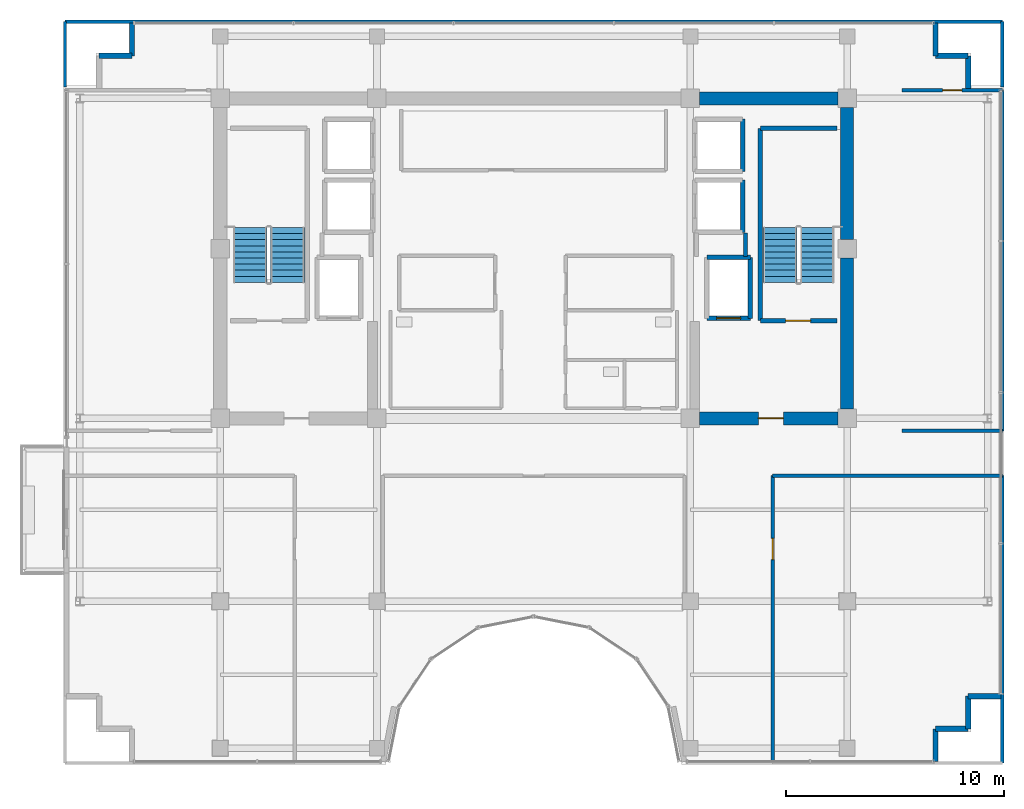
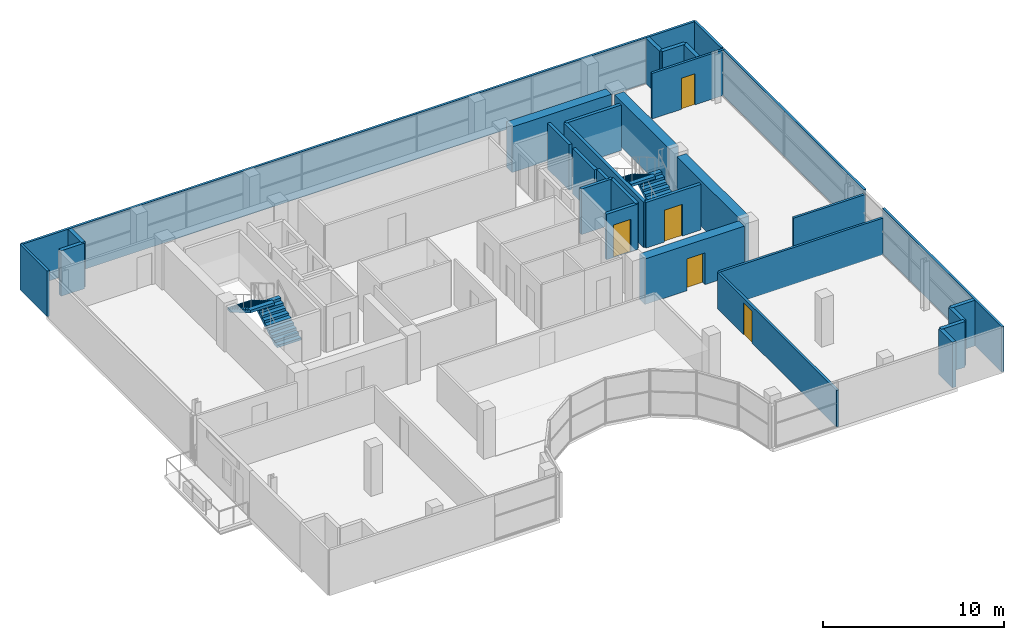
# One storey, part 24 of 28: 31 walls, 5 doors, 4 stair flights, 5 openings, 2 elements without a shape of their own.
"""IFC4 building model written with IfcOpenShell, lengths in metres."""

from ifc_helpers import new_model, si_unit, direction, frame, frame_2d, origin, place, context, subcontext, project, spatial, polyline, rectangle, outline, extrude, source, transform, mapped, material, layer, layer_set, type_object, element, fill, aggregate, save


model = new_model("IFC4")

# Units and contexts
model_context = context("Model", 3, precision=1e-05, world=origin(), true_north=direction((0.0, 1.0)))
body_context = subcontext(model_context, "Body", "Model", "MODEL_VIEW")
ifc_project = project(units=[si_unit("LENGTHUNIT", "METRE"), si_unit("AREAUNIT", "SQUARE_METRE"), si_unit("VOLUMEUNIT", "CUBIC_METRE"), si_unit("PLANEANGLEUNIT", "RADIAN"), si_unit("MASSUNIT", "GRAM", prefix="KILO")], contexts=[model_context])

# Site, building, storey
site_placement = place(None, origin())
site = spatial("IfcSite", under=ifc_project, at=site_placement, CompositionType="ELEMENT")
building_placement = place(site_placement, origin())
building = spatial("IfcBuilding", under=site, at=building_placement, Name="Zarnakvel Exchange Tower", CompositionType="ELEMENT")
storey_placement = place(building_placement, frame((0.0, 0.0, 268.300048828125)))
storey = spatial("IfcBuildingStorey", under=building, at=storey_placement, Name="L76", CompositionType="ELEMENT", Elevation=268.300048828125)

# Walls
ifc_material_1 = material(Name="Concrete C50/60", Category="concrete")
ifc_layer_1 = layer(ifc_material_1, 0.60009765625)
ifc_layer_set_1 = layer_set([ifc_layer_1], Name="Concrete C50/60")
wall_type_1 = type_object("IfcWallType", Name="CW-C5", PredefinedType="SHEAR", material=ifc_layer_set_1)
wall_1_placement = place(storey_placement, frame((7.625, 13.5, 0.0), z_axis=(0.0, 0.0, 1.0), x_axis=(1.0, 0.0, 0.0)))
element("IfcWall", 1, at=wall_1_placement, inside=storey, type_object=wall_type_1, Name="L76 Rear Core Shear Wall N3 (CW-C5)", PredefinedType="SHEAR", context=body_context, shape_type="SweptSolid", body=[
    extrude(rectangle(XDim=6.35009765625, YDim=0.60009765625, at=frame_2d((3.175048828125, 0.0))), origin(), (0.0, 0.0, 1.0), 3.079833984375),
])
wall_2_placement = place(storey_placement, frame((14.39990234375, -0.77490234375, 0.0), z_axis=(0.0, 0.0, 1.0), x_axis=(0.0, 1.0, 0.0)))
element("IfcWall", 2, at=wall_2_placement, inside=storey, type_object=wall_type_1, Name="L76 Rear Core Shear Wall E1 (CW-C5)", PredefinedType="SHEAR", context=body_context, shape_type="SweptSolid", body=[
    extrude(rectangle(XDim=6.949951171875, YDim=0.60009765625, at=frame_2d((3.47509765625, 0.0))), origin(), (0.0, 0.0, 1.0), 3.079833984375),
])
wall_3_placement = place(storey_placement, frame((14.39990234375, 7.02490234375, 0.0), z_axis=(0.0, 0.0, 1.0), x_axis=(0.0, 1.0, 0.0)))
element("IfcWall", 3, at=wall_3_placement, inside=storey, type_object=wall_type_1, Name="L76 Rear Core Shear Wall E2 (CW-C5)", PredefinedType="SHEAR", context=body_context, shape_type="SweptSolid", body=[
    extrude(rectangle(XDim=6.050048828125, YDim=0.60009765625, at=frame_2d((3.02490234375, 0.0))), origin(), (0.0, 0.0, 1.0), 3.079833984375),
])

# Wall, opening, door
wall_4_placement = place(storey_placement, frame((13.97509765625, -1.199951171875, 0.0), z_axis=(0.0, 0.0, 1.0), x_axis=(-1.0, 0.0, 0.0)))
wall_4 = element("IfcWall", 4, at=wall_4_placement, inside=storey, type_object=wall_type_1, Name="L76 Rear Core Shear Wall SE (CW-C5)", PredefinedType="SHEAR", context=body_context, shape_type="SweptSolid", body=[
    extrude(rectangle(XDim=6.35009765625, YDim=0.60009765625, at=frame_2d((3.175048828125, 0.0))), origin(), (0.0, 0.0, 1.0), 3.079833984375),
])
opening_1_placement = place(wall_4_placement, frame((2.5, 0.0, 0.0)))
opening_1 = element("IfcOpeningElement", 5, at=opening_1_placement, cuts=wall_4, Name="Opening D-L76-04", PredefinedType="OPENING", context=body_context, shape_type="SweptSolid", body=[
    extrude(rectangle(XDim=1.14990234375, YDim=2.14990234375, at=frame_2d((0.574951171875, 1.074951171875))), frame((0.0, 0.31005859375, 0.0), z_axis=(0.0, -1.0, 0.0), x_axis=(1.0, 0.0, 0.0)), (0.0, 0.0, 1.0), 0.6201171875),
])
ifc_material_2 = material(Name="Painted Galvanised Steel S355", Category="steel")
door_type_1 = type_object("IfcDoorType", Name="DT-04", OperationType="NOTDEFINED", PredefinedType="DOOR", material=ifc_material_2)
shared_shape_1 = source(origin(), body_context, "Body", "SweptSolid", [
    extrude(rectangle(XDim=1.14990234375, YDim=2.14990234375, at=frame_2d((0.574951171875, 1.074951171875))), frame((0.0, 0.02490234375, 0.0), z_axis=(0.0, -1.0, 0.0), x_axis=(1.0, 0.0, 0.0)), (0.0, 0.0, 1.0), 0.050048828125),
])
door_1_placement = place(opening_1_placement, origin())
door_1 = element("IfcDoor", 6, at=door_1_placement, inside=storey, type_object=door_type_1, Name="L76 Firefighting Lobby East Door D-L76-04", OperationType="SINGLE_SWING_LEFT", OverallHeight=2.14990234375, OverallWidth=1.14990234375, PredefinedType="DOOR", context=body_context, shape_type="MappedRepresentation", body=[
    mapped(shared_shape_1, transform((0.0, 0.0, 0.0), x_axis=(1.0, 0.0, 0.0), y_axis=(0.0, 1.0, 0.0), z_axis=(0.0, 0.0, 1.0), scale=1.0)),
])
fill(opening_1, door_1)

# Walls
ifc_material_3 = material(Name="Precast concrete C40/50", Category="concrete")
ifc_layer_2 = layer(ifc_material_3, 0.239990234375)
ifc_layer_set_2 = layer_set([ifc_layer_2], Name="Precast concrete C40/50")
wall_type_2 = type_object("IfcWallType", Name="EW-02", PredefinedType="SOLIDWALL", material=ifc_layer_set_2)
for number, where, z_axis, x_axis, name in (
    (7, (-18.4599609375, 15.4599609375, 0.0), (0.0, 0.0, 1.0), (-1.0, 0.0, 0.0), "L76 Exterior Precast Spandrel Wall EWC-L76-05 (EW-02)"),
    (8, (-18.4599609375, 16.9599609375, 0.0), (0.0, 0.0, 1.0), (0.0, -1.0, 0.0), "L76 Exterior Precast Spandrel Wall EWC-L76-06 (EW-02)"),
    (9, (18.4599609375, 15.4599609375, 0.0), (0.0, 0.0, 1.0), (0.0, 1.0, 0.0), "L76 Exterior Precast Spandrel Wall EWC-L76-07 (EW-02)"),
    (10, (19.9599609375, 15.4599609375, 0.0), (0.0, 0.0, 1.0), (-1.0, 0.0, 0.0), "L76 Exterior Precast Spandrel Wall EWC-L76-08 (EW-02)"),
    (11, (19.9599609375, 13.9599609375, 0.0), (0.0, 0.0, 1.0), (0.0, 1.0, 0.0), "L76 Exterior Precast Spandrel Wall EWC-L76-09 (EW-02)"),
    (12, (19.9599609375, -13.9599609375, 0.0), (0.0, 0.0, 1.0), (1.0, 0.0, 0.0), "L76 Exterior Precast Spandrel Wall EWC-L76-11 (EW-02)"),
    (13, (19.9599609375, -15.4599609375, 0.0), (0.0, 0.0, 1.0), (0.0, 1.0, 0.0), "L76 Exterior Precast Spandrel Wall EWC-L76-12 (EW-02)"),
    (14, (18.4599609375, -15.4599609375, 0.0), (0.0, 0.0, 1.0), (1.0, 0.0, 0.0), "L76 Exterior Precast Spandrel Wall EWC-L76-13 (EW-02)"),
    (15, (18.4599609375, -16.9599609375, 0.0), (0.0, 0.0, 1.0), (0.0, 1.0, 0.0), "L76 Exterior Precast Spandrel Wall EWC-L76-14 (EW-02)"),
):
    element("IfcWall", number, at=place(storey_placement, frame(where, z_axis=z_axis, x_axis=x_axis)), inside=storey, type_object=wall_type_2, Name=name, PredefinedType="SOLIDWALL", context=body_context, shape_type="SweptSolid", body=[
        extrude(rectangle(XDim=1.5, YDim=0.239990234375, at=frame_2d((0.75, 0.0))), origin(), (0.0, 0.0, 1.0), 3.079833984375),
    ])
ifc_material_4 = material(Name="Fire-Rated Gypsum Stud Partition", Category="gypsum")
ifc_layer_3 = layer(ifc_material_4, 0.14990234375)
ifc_layer_set_3 = layer_set([ifc_layer_3], Name="Fire-Rated Gypsum Stud Partition")
wall_type_3 = type_object("IfcWallType", Name="PT-01", PredefinedType="PARTITIONING", material=ifc_layer_set_3)
wall_5_placement = place(storey_placement, frame((10.97998046875, -3.830078125, 0.0), z_axis=(0.0, 0.0, 1.0), x_axis=(1.0, 0.0, 0.0)))
element("IfcWall", 16, at=wall_5_placement, inside=storey, type_object=wall_type_3, Name="L76 Partition Wall PWALL-L76-038 (PT-01)", PredefinedType="PARTITIONING", context=body_context, shape_type="SweptSolid", body=[
    extrude(rectangle(XDim=10.550048828125, YDim=0.14990234375, at=frame_2d((5.27490234375, 0.0))), origin(), (0.0, 0.0, 1.0), 2.469970703125),
])

# Wall, opening, door
wall_6_placement = place(storey_placement, frame((10.97998046875, -17.030029296875, 0.0), z_axis=(0.0, 0.0, 1.0), x_axis=(0.0, 1.0, 0.0)))
wall_6 = element("IfcWall", 17, at=wall_6_placement, inside=storey, type_object=wall_type_3, Name="L76 Partition Wall PWALL-L76-039 (PT-01)", PredefinedType="PARTITIONING", context=body_context, shape_type="SweptSolid", body=[
    extrude(rectangle(XDim=13.199951171875, YDim=0.14990234375, at=frame_2d((6.60009765625, 0.0))), origin(), (0.0, 0.0, 1.0), 2.469970703125),
])
opening_2_placement = place(wall_6_placement, frame((9.340087890625, 0.0, 0.0)))
opening_2 = element("IfcOpeningElement", 18, at=opening_2_placement, cuts=wall_6, Name="Opening D-L76-13", PredefinedType="OPENING", context=body_context, shape_type="SweptSolid", body=[
    extrude(rectangle(XDim=0.97998046875, YDim=2.14990234375, at=frame_2d((0.489990234375, 1.074951171875))), frame((0.0, 0.0849609375, 0.0), z_axis=(0.0, -1.0, 0.0), x_axis=(1.0, 0.0, 0.0)), (0.0, 0.0, 1.0), 0.169921875),
])
ifc_material_5 = material(Name="Timber Acoustic Veneer", Category="wood")
door_type_2 = type_object("IfcDoorType", Name="DT-05", OperationType="NOTDEFINED", PredefinedType="DOOR", material=ifc_material_5)
shared_shape_2 = source(origin(), body_context, "Body", "SweptSolid", [
    extrude(rectangle(XDim=0.97998046875, YDim=2.14990234375, at=frame_2d((0.489990234375, 1.074951171875))), frame((0.0, 0.02490234375, 0.0), z_axis=(0.0, -1.0, 0.0), x_axis=(1.0, 0.0, 0.0)), (0.0, 0.0, 1.0), 0.050048828125),
])
door_2_placement = place(opening_2_placement, origin())
door_2 = element("IfcDoor", 19, at=door_2_placement, inside=storey, type_object=door_type_2, Name="L76 Seminar Room Door D-L76-13", OperationType="SINGLE_SWING_RIGHT", OverallHeight=2.14990234375, OverallWidth=0.97998046875, PredefinedType="DOOR", context=body_context, shape_type="MappedRepresentation", body=[
    mapped(shared_shape_2, transform((0.0, 0.0, 0.0), x_axis=(1.0, 0.0, 0.0), y_axis=(0.0, 1.0, 0.0), z_axis=(0.0, 0.0, 1.0), scale=1.0)),
])
fill(opening_2, door_2)

# Walls
wall_7_placement = place(storey_placement, frame((21.530029296875, -3.830078125, 0.0), z_axis=(0.0, 0.0, 1.0), x_axis=(0.0, -1.0, 0.0)))
element("IfcWall", 20, at=wall_7_placement, inside=storey, type_object=wall_type_3, Name="L76 Partition Wall PWALL-L76-040 (PT-01)", PredefinedType="PARTITIONING", context=body_context, shape_type="SweptSolid", body=[
    extrude(rectangle(XDim=13.199951171875, YDim=0.14990234375, at=frame_2d((6.60009765625, 0.0))), origin(), (0.0, 0.0, 1.0), 3.079833984375),
])
wall_8_placement = place(storey_placement, frame((21.530029296875, -1.77001953125, 0.0), z_axis=(0.0, 0.0, 1.0), x_axis=(-1.0, 0.0, 0.0)))
element("IfcWall", 21, at=wall_8_placement, inside=storey, type_object=wall_type_3, Name="L76 Partition Wall PWALL-L76-047 (PT-01)", PredefinedType="PARTITIONING", context=body_context, shape_type="SweptSolid", body=[
    extrude(rectangle(XDim=4.60009765625, YDim=0.14990234375, at=frame_2d((2.300048828125, 0.0))), origin(), (0.0, 0.0, 1.0), 2.7900390625),
])

# Wall, opening, door
wall_9_placement = place(storey_placement, frame((16.929931640625, 13.8798828125, 0.0), z_axis=(0.0, 0.0, 1.0), x_axis=(1.0, 0.0, 0.0)))
wall_9 = element("IfcWall", 22, at=wall_9_placement, inside=storey, type_object=wall_type_3, Name="L76 Partition Wall PWALL-L76-048 (PT-01)", PredefinedType="PARTITIONING", context=body_context, shape_type="SweptSolid", body=[
    extrude(rectangle(XDim=4.60009765625, YDim=0.14990234375, at=frame_2d((2.300048828125, 0.0))), origin(), (0.0, 0.0, 1.0), 3.079833984375),
])
opening_3_placement = place(wall_9_placement, frame((1.860107421875, 0.0, 0.0)))
opening_3 = element("IfcOpeningElement", 23, at=opening_3_placement, cuts=wall_9, Name="Opening D-L76-17", PredefinedType="OPENING", context=body_context, shape_type="SweptSolid", body=[
    extrude(rectangle(XDim=0.8798828125, YDim=2.10009765625, at=frame_2d((0.43994140625, 1.050048828125))), frame((0.0, 0.0849609375, 0.0), z_axis=(0.0, -1.0, 0.0), x_axis=(1.0, 0.0, 0.0)), (0.0, 0.0, 1.0), 0.169921875),
])
door_type_3 = type_object("IfcDoorType", Name="DT-08", OperationType="NOTDEFINED", PredefinedType="DOOR", material=ifc_material_2)
shared_shape_3 = source(origin(), body_context, "Body", "SweptSolid", [
    extrude(rectangle(XDim=0.8798828125, YDim=2.10009765625, at=frame_2d((0.43994140625, 1.050048828125))), frame((0.0, 0.02490234375, 0.0), z_axis=(0.0, -1.0, 0.0), x_axis=(1.0, 0.0, 0.0)), (0.0, 0.0, 1.0), 0.050048828125),
])
door_3_placement = place(opening_3_placement, origin())
door_3 = element("IfcDoor", 24, at=door_3_placement, inside=storey, type_object=door_type_3, Name="L76 Tea Pantry Door D-L76-17", OperationType="SINGLE_SWING_RIGHT", OverallHeight=2.10009765625, OverallWidth=0.8798828125, PredefinedType="DOOR", context=body_context, shape_type="MappedRepresentation", body=[
    mapped(shared_shape_3, transform((0.0, 0.0, 0.0), x_axis=(1.0, 0.0, 0.0), y_axis=(0.0, 1.0, 0.0), z_axis=(0.0, 0.0, 1.0), scale=1.0)),
])
fill(opening_3, door_3)

# Walls
wall_10_placement = place(storey_placement, frame((21.530029296875, 13.8798828125, 0.0), z_axis=(0.0, 0.0, 1.0), x_axis=(0.0, -1.0, 0.0)))
element("IfcWall", 25, at=wall_10_placement, inside=storey, type_object=wall_type_3, Name="L76 Partition Wall PWALL-L76-049 (PT-01)", PredefinedType="PARTITIONING", context=body_context, shape_type="SweptSolid", body=[
    extrude(rectangle(XDim=15.64990234375, YDim=0.14990234375, at=frame_2d((7.824951171875, 0.0))), origin(), (0.0, 0.0, 1.0), 3.079833984375),
])
wall_11_placement = place(storey_placement, frame((-21.530029296875, 17.030029296875, 0.0), z_axis=(0.0, 0.0, 1.0), x_axis=(1.0, 0.0, 0.0)))
element("IfcWall", 26, at=wall_11_placement, inside=storey, type_object=wall_type_3, Name="L76 Partition Wall PWALL-L76-050 (PT-01)", PredefinedType="PARTITIONING", context=body_context, shape_type="SweptSolid", body=[
    extrude(rectangle(XDim=43.06005859375, YDim=0.14990234375, at=frame_2d((21.530029296875, 0.0))), origin(), (0.0, 0.0, 1.0), 3.079833984375),
])
for number, where, z_axis, x_axis, name in (
    (27, (-21.530029296875, 14.030029296875, 0.0), (0.0, 0.0, 1.0), (0.0, 1.0, 0.0), "L76 Partition Wall PWALL-L76-051 (PT-01)"),
    (28, (21.530029296875, 17.030029296875, 0.0), (0.0, 0.0, 1.0), (0.0, -1.0, 0.0), "L76 Partition Wall PWALL-L76-052 (PT-01)"),
):
    element("IfcWall", number, at=place(storey_placement, frame(where, z_axis=z_axis, x_axis=x_axis)), inside=storey, type_object=wall_type_3, Name=name, PredefinedType="PARTITIONING", context=body_context, shape_type="SweptSolid", body=[
        extrude(rectangle(XDim=3.0, YDim=0.14990234375, at=frame_2d((1.5, 0.0))), origin(), (0.0, 0.0, 1.0), 3.079833984375),
    ])
ifc_layer_4 = layer(ifc_material_4, 0.179931640625)
ifc_layer_set_4 = layer_set([ifc_layer_4], Name="Fire-Rated Gypsum Stud Partition")
wall_type_4 = type_object("IfcWallType", Name="PT-02", PredefinedType="PARTITIONING", material=ifc_layer_set_4)
wall_12_placement = place(storey_placement, frame((9.72998046875, 7.330078125, 0.0), z_axis=(0.0, 0.0, 1.0), x_axis=(0.0, -1.0, 0.0)))
element("IfcWall", 29, at=wall_12_placement, inside=storey, type_object=wall_type_4, Name="L76 Partition Wall PWALL-L76-010 (PT-02)", PredefinedType="PARTITIONING", context=body_context, shape_type="SweptSolid", body=[
    extrude(rectangle(XDim=1.090087890625, YDim=0.179931640625, at=frame_2d((0.544921875, 0.0))), origin(), (0.0, 0.0, 1.0), 3.079833984375),
])

# Wall, opening, door
ifc_material_6 = material(Name="Concrete C40/50", Category="concrete")
ifc_layer_5 = layer(ifc_material_6, 0.199951171875)
ifc_layer_set_5 = layer_set([ifc_layer_5], Name="Concrete C40/50")
wall_type_5 = type_object("IfcWallType", Name="SW-01", PredefinedType="SOLIDWALL", material=ifc_layer_set_5)
wall_13_placement = place(storey_placement, frame((9.949951171875, 3.39990234375, 0.0), z_axis=(0.0, 0.0, 1.0), x_axis=(-1.0, 0.0, 0.0)))
wall_13 = element("IfcWall", 30, at=wall_13_placement, inside=storey, type_object=wall_type_5, Name="L76 FL-02 Hoistway Wall South", PredefinedType="SOLIDWALL", context=body_context, shape_type="SweptSolid", body=[
    extrude(rectangle(XDim=2.0, YDim=0.199951171875, at=frame_2d((1.0, 0.0))), origin(), (0.0, 0.0, 1.0), 3.079833984375),
])
opening_4_placement = place(wall_13_placement, frame((0.449951171875, 0.0, 0.0)))
opening_4 = element("IfcOpeningElement", 31, at=opening_4_placement, cuts=wall_13, Name="Opening LD-FL-02-L76", PredefinedType="OPENING", context=body_context, shape_type="SweptSolid", body=[
    extrude(rectangle(XDim=1.10009765625, YDim=2.199951171875, at=frame_2d((0.550048828125, 1.10009765625))), frame((0.0, 0.10986328125, 0.0), z_axis=(0.0, -1.0, 0.0), x_axis=(1.0, 0.0, 0.0)), (0.0, 0.0, 1.0), 0.219970703125),
])
ifc_material_7 = material(Name="Brushed Stainless Steel", Category="steel")
door_type_4 = type_object("IfcDoorType", Name="LDT-01", OperationType="NOTDEFINED", PredefinedType="DOOR", material=ifc_material_7)
shared_shape_4 = source(origin(), body_context, "Body", "SweptSolid", [
    extrude(rectangle(XDim=1.10009765625, YDim=2.199951171875, at=frame_2d((0.550048828125, 1.10009765625))), frame((0.0, 0.02490234375, 0.0), z_axis=(0.0, -1.0, 0.0), x_axis=(1.0, 0.0, 0.0)), (0.0, 0.0, 1.0), 0.050048828125),
])
door_4_placement = place(opening_4_placement, origin())
door_4 = element("IfcDoor", 32, at=door_4_placement, inside=storey, type_object=door_type_4, Name="L76 FL-02 Lift Landing Door LD-FL-02-L76", OperationType="DOUBLE_DOOR_SLIDING", OverallHeight=2.199951171875, OverallWidth=1.10009765625, PredefinedType="DOOR", context=body_context, shape_type="MappedRepresentation", body=[
    mapped(shared_shape_4, transform((0.0, 0.0, 0.0), x_axis=(1.0, 0.0, 0.0), y_axis=(0.0, 1.0, 0.0), z_axis=(0.0, 0.0, 1.0), scale=1.0)),
])
fill(opening_4, door_4)

# Walls
wall_14_placement = place(storey_placement, frame((7.949951171875, 6.199951171875, 0.0), z_axis=(0.0, 0.0, 1.0), x_axis=(1.0, 0.0, 0.0)))
element("IfcWall", 33, at=wall_14_placement, inside=storey, type_object=wall_type_5, Name="L76 FL-02 Hoistway Wall North", PredefinedType="SOLIDWALL", context=body_context, shape_type="SweptSolid", body=[
    extrude(rectangle(XDim=2.0, YDim=0.199951171875, at=frame_2d((1.0, 0.0))), origin(), (0.0, 0.0, 1.0), 3.079833984375),
])
wall_15_placement = place(storey_placement, frame((9.949951171875, 6.199951171875, 0.0), z_axis=(0.0, 0.0, 1.0), x_axis=(0.0, -1.0, 0.0)))
element("IfcWall", 34, at=wall_15_placement, inside=storey, type_object=wall_type_5, Name="L76 FL-02 Hoistway Wall East", PredefinedType="SOLIDWALL", context=body_context, shape_type="SweptSolid", body=[
    extrude(rectangle(XDim=2.800048828125, YDim=0.199951171875, at=frame_2d((1.39990234375, 0.0))), origin(), (0.0, 0.0, 1.0), 3.079833984375),
])
wall_16_placement = place(storey_placement, frame((9.60009765625, 9.75, 0.0), z_axis=(0.0, 0.0, 1.0), x_axis=(0.0, -1.0, 0.0)))
element("IfcWall", 35, at=wall_16_placement, inside=storey, type_object=wall_type_5, Name="L76 PL-11 Hoistway Wall East", PredefinedType="SOLIDWALL", context=body_context, shape_type="SweptSolid", body=[
    extrude(rectangle(XDim=2.39990234375, YDim=0.199951171875, at=frame_2d((1.199951171875, 0.0))), origin(), (0.0, 0.0, 1.0), 3.079833984375),
])
wall_17_placement = place(storey_placement, frame((9.60009765625, 12.550048828125, 0.0), z_axis=(0.0, 0.0, 1.0), x_axis=(0.0, -1.0, 0.0)))
element("IfcWall", 36, at=wall_17_placement, inside=storey, type_object=wall_type_5, Name="L76 PL-12 Hoistway Wall East", PredefinedType="SOLIDWALL", context=body_context, shape_type="SweptSolid", body=[
    extrude(rectangle(XDim=2.400146484375, YDim=0.199951171875, at=frame_2d((1.2001953125, 0.0))), origin(), (0.0, 0.0, 1.0), 3.079833984375),
])

# Wall, opening, door
ifc_layer_6 = layer(ifc_material_6, 0.199951171875)
ifc_layer_set_6 = layer_set([ifc_layer_6], Name="Concrete C40/50")
wall_type_6 = type_object("IfcWallType", Name="SW-02", PredefinedType="SOLIDWALL", material=ifc_layer_set_6)
wall_18_placement = place(storey_placement, frame((13.929931640625, 3.2900390625, 0.0), z_axis=(0.0, 0.0, 1.0), x_axis=(-1.0, 0.0, 0.0)))
wall_18 = element("IfcWall", 37, at=wall_18_placement, inside=storey, type_object=wall_type_6, Name="L76 Stairwell Core Wall PWALL-L76-004 (SW-02)", PredefinedType="SOLIDWALL", context=body_context, shape_type="SweptSolid", body=[
    extrude(rectangle(XDim=3.52001953125, YDim=0.199951171875, at=frame_2d((1.760009765625, 0.0))), origin(), (0.0, 0.0, 1.0), 3.079833984375),
])
opening_5_placement = place(wall_18_placement, frame((1.205078125, 0.0, 0.0)))
opening_5 = element("IfcOpeningElement", 38, at=opening_5_placement, cuts=wall_18, Name="Opening D-L76-02", PredefinedType="OPENING", context=body_context, shape_type="SweptSolid", body=[
    extrude(rectangle(XDim=1.14990234375, YDim=2.14990234375, at=frame_2d((0.574951171875, 1.074951171875))), frame((0.0, 0.10986328125, 0.0), z_axis=(0.0, -1.0, 0.0), x_axis=(1.0, 0.0, 0.0)), (0.0, 0.0, 1.0), 0.219970703125),
])
door_5_placement = place(opening_5_placement, origin())
door_5 = element("IfcDoor", 39, at=door_5_placement, inside=storey, type_object=door_type_1, Name="L76 Stairwell ST-02 Door D-L76-02", OperationType="SINGLE_SWING_LEFT", OverallHeight=2.14990234375, OverallWidth=1.14990234375, PredefinedType="DOOR", context=body_context, shape_type="MappedRepresentation", body=[
    mapped(shared_shape_1, transform((0.0, 0.0, 0.0), x_axis=(1.0, 0.0, 0.0), y_axis=(0.0, 1.0, 0.0), z_axis=(0.0, 0.0, 1.0), scale=1.0)),
])
fill(opening_5, door_5)

# Walls
wall_19_placement = place(storey_placement, frame((10.409912109375, 12.1298828125, 0.0), z_axis=(0.0, 0.0, 1.0), x_axis=(1.0, 0.0, 0.0)))
element("IfcWall", 40, at=wall_19_placement, inside=storey, type_object=wall_type_6, Name="L76 Stairwell Core Wall PWALL-L76-005 (SW-02)", PredefinedType="SOLIDWALL", context=body_context, shape_type="SweptSolid", body=[
    extrude(rectangle(XDim=3.52001953125, YDim=0.199951171875, at=frame_2d((1.760009765625, 0.0))), origin(), (0.0, 0.0, 1.0), 3.079833984375),
])
wall_20_placement = place(storey_placement, frame((10.409912109375, 3.2900390625, 0.0), z_axis=(0.0, 0.0, 1.0), x_axis=(0.0, 1.0, 0.0)))
element("IfcWall", 41, at=wall_20_placement, inside=storey, type_object=wall_type_6, Name="L76 Stairwell Core Wall PWALL-L76-006 (SW-02)", PredefinedType="SOLIDWALL", context=body_context, shape_type="SweptSolid", body=[
    extrude(rectangle(XDim=8.83984375, YDim=0.199951171875, at=frame_2d((4.419921875, 0.0))), origin(), (0.0, 0.0, 1.0), 3.079833984375),
])

# Stair, stair flights
stair_type = type_object("IfcStairType", Name="STR-01", PredefinedType="HALF_TURN_STAIR", material=ifc_material_6)
stair_1_placement = place(storey_placement, origin())
stair_1 = element("IfcStair", 42, at=stair_1_placement, inside=storey, type_object=stair_type, Name="L76 Protected Core Exit Stair ST-01", PredefinedType="HALF_TURN_STAIR")
stair_flight_type = type_object("IfcStairFlightType", Name="FLT-01", PredefinedType="STRAIGHT", material=ifc_material_6)
stair_flight_1_placement = place(storey_placement, frame((-11.31494140625, 5.050048828125, 0.0), z_axis=(0.0, 0.0, 1.0), x_axis=(0.0, 1.0, 0.0)))
stair_flight_1 = element("IfcStairFlight", 43, at=stair_flight_1_placement, type_object=stair_flight_type, Name="ST-01 flight 1", NumberOfRisers=10, NumberOfTreads=9, PredefinedType="STRAIGHT", RiserHeight=0.165, TreadLength=0.28, context=body_context, shape_type="SweptSolid", body=[
    extrude(outline(polyline([(0.0, 0.0), (0.0, 0.1650390625), (0.280029296875, 0.1650390625), (0.280029296875, 0.330078125), (0.56005859375, 0.330078125), (0.56005859375, 0.4951171875), (0.840087890625, 0.4951171875), (0.840087890625, 0.659912109375), (1.1201171875, 0.659912109375), (1.1201171875, 0.824951171875), (1.39990234375, 0.824951171875), (1.39990234375, 0.989990234375), (1.679931640625, 0.989990234375), (1.679931640625, 1.155029296875), (1.9599609375, 1.155029296875), (1.9599609375, 1.320068359375), (2.239990234375, 1.320068359375), (2.239990234375, 1.485107421875), (2.52001953125, 1.485107421875), (2.52001953125, 1.64990234375), (2.52001953125, 1.31103515625), (0.295166015625, 0.0), (0.0, 0.0)])), frame((0.0, 0.77490234375, 0.0), z_axis=(0.0, -1.0, 0.0), x_axis=(1.0, 0.0, 0.0)), (0.0, 0.0, 1.0), 1.550048828125),
])
stair_flight_2_placement = place(storey_placement, frame((-13.02490234375, 7.570068359375, 1.64990234375), z_axis=(0.0, 0.0, 1.0), x_axis=(0.0, -1.0, 0.0)))
stair_flight_2 = element("IfcStairFlight", 44, at=stair_flight_2_placement, type_object=stair_flight_type, Name="ST-01 flight 2", NumberOfRisers=10, NumberOfTreads=9, PredefinedType="STRAIGHT", RiserHeight=0.165, TreadLength=0.28, context=body_context, shape_type="SweptSolid", body=[
    extrude(outline(polyline([(0.0, 0.0), (0.0, 0.1650390625), (0.280029296875, 0.1650390625), (0.280029296875, 0.330078125), (0.56005859375, 0.330078125), (0.56005859375, 0.4951171875), (0.840087890625, 0.4951171875), (0.840087890625, 0.659912109375), (1.1201171875, 0.659912109375), (1.1201171875, 0.824951171875), (1.39990234375, 0.824951171875), (1.39990234375, 0.989990234375), (1.679931640625, 0.989990234375), (1.679931640625, 1.155029296875), (1.9599609375, 1.155029296875), (1.9599609375, 1.320068359375), (2.239990234375, 1.320068359375), (2.239990234375, 1.485107421875), (2.52001953125, 1.485107421875), (2.52001953125, 1.64990234375), (2.52001953125, 1.31103515625), (0.295166015625, 0.0), (0.0, 0.0)])), frame((0.0, 0.77490234375, 0.0), z_axis=(0.0, -1.0, 0.0), x_axis=(1.0, 0.0, 0.0)), (0.0, 0.0, 1.0), 1.550048828125),
])
aggregate(stair_1, [stair_flight_1, stair_flight_2])

stair_2_placement = place(storey_placement, origin())
stair_2 = element("IfcStair", 45, at=stair_2_placement, inside=storey, type_object=stair_type, Name="L76 Protected Core Exit Stair ST-02", PredefinedType="HALF_TURN_STAIR")
stair_flight_3_placement = place(storey_placement, frame((13.02490234375, 5.050048828125, 0.0), z_axis=(0.0, 0.0, 1.0), x_axis=(0.0, 1.0, 0.0)))
stair_flight_3 = element("IfcStairFlight", 46, at=stair_flight_3_placement, type_object=stair_flight_type, Name="ST-02 flight 1", NumberOfRisers=10, NumberOfTreads=9, PredefinedType="STRAIGHT", RiserHeight=0.165, TreadLength=0.28, context=body_context, shape_type="SweptSolid", body=[
    extrude(outline(polyline([(0.0, 0.0), (0.0, 0.1650390625), (0.280029296875, 0.1650390625), (0.280029296875, 0.330078125), (0.56005859375, 0.330078125), (0.56005859375, 0.4951171875), (0.840087890625, 0.4951171875), (0.840087890625, 0.659912109375), (1.1201171875, 0.659912109375), (1.1201171875, 0.824951171875), (1.39990234375, 0.824951171875), (1.39990234375, 0.989990234375), (1.679931640625, 0.989990234375), (1.679931640625, 1.155029296875), (1.9599609375, 1.155029296875), (1.9599609375, 1.320068359375), (2.239990234375, 1.320068359375), (2.239990234375, 1.485107421875), (2.52001953125, 1.485107421875), (2.52001953125, 1.64990234375), (2.52001953125, 1.31103515625), (0.295166015625, 0.0), (0.0, 0.0)])), frame((0.0, 0.77490234375, 0.0), z_axis=(0.0, -1.0, 0.0), x_axis=(1.0, 0.0, 0.0)), (0.0, 0.0, 1.0), 1.550048828125),
])
stair_flight_4_placement = place(storey_placement, frame((11.31494140625, 7.570068359375, 1.64990234375), z_axis=(0.0, 0.0, 1.0), x_axis=(0.0, -1.0, 0.0)))
stair_flight_4 = element("IfcStairFlight", 47, at=stair_flight_4_placement, type_object=stair_flight_type, Name="ST-02 flight 2", NumberOfRisers=10, NumberOfTreads=9, PredefinedType="STRAIGHT", RiserHeight=0.165, TreadLength=0.28, context=body_context, shape_type="SweptSolid", body=[
    extrude(outline(polyline([(0.0, 0.0), (0.0, 0.1650390625), (0.280029296875, 0.1650390625), (0.280029296875, 0.330078125), (0.56005859375, 0.330078125), (0.56005859375, 0.4951171875), (0.840087890625, 0.4951171875), (0.840087890625, 0.659912109375), (1.1201171875, 0.659912109375), (1.1201171875, 0.824951171875), (1.39990234375, 0.824951171875), (1.39990234375, 0.989990234375), (1.679931640625, 0.989990234375), (1.679931640625, 1.155029296875), (1.9599609375, 1.155029296875), (1.9599609375, 1.320068359375), (2.239990234375, 1.320068359375), (2.239990234375, 1.485107421875), (2.52001953125, 1.485107421875), (2.52001953125, 1.64990234375), (2.52001953125, 1.31103515625), (0.295166015625, 0.0), (0.0, 0.0)])), frame((0.0, 0.77490234375, 0.0), z_axis=(0.0, -1.0, 0.0), x_axis=(1.0, 0.0, 0.0)), (0.0, 0.0, 1.0), 1.550048828125),
])
aggregate(stair_2, [stair_flight_3, stair_flight_4])

save(model, "model.ifc")
